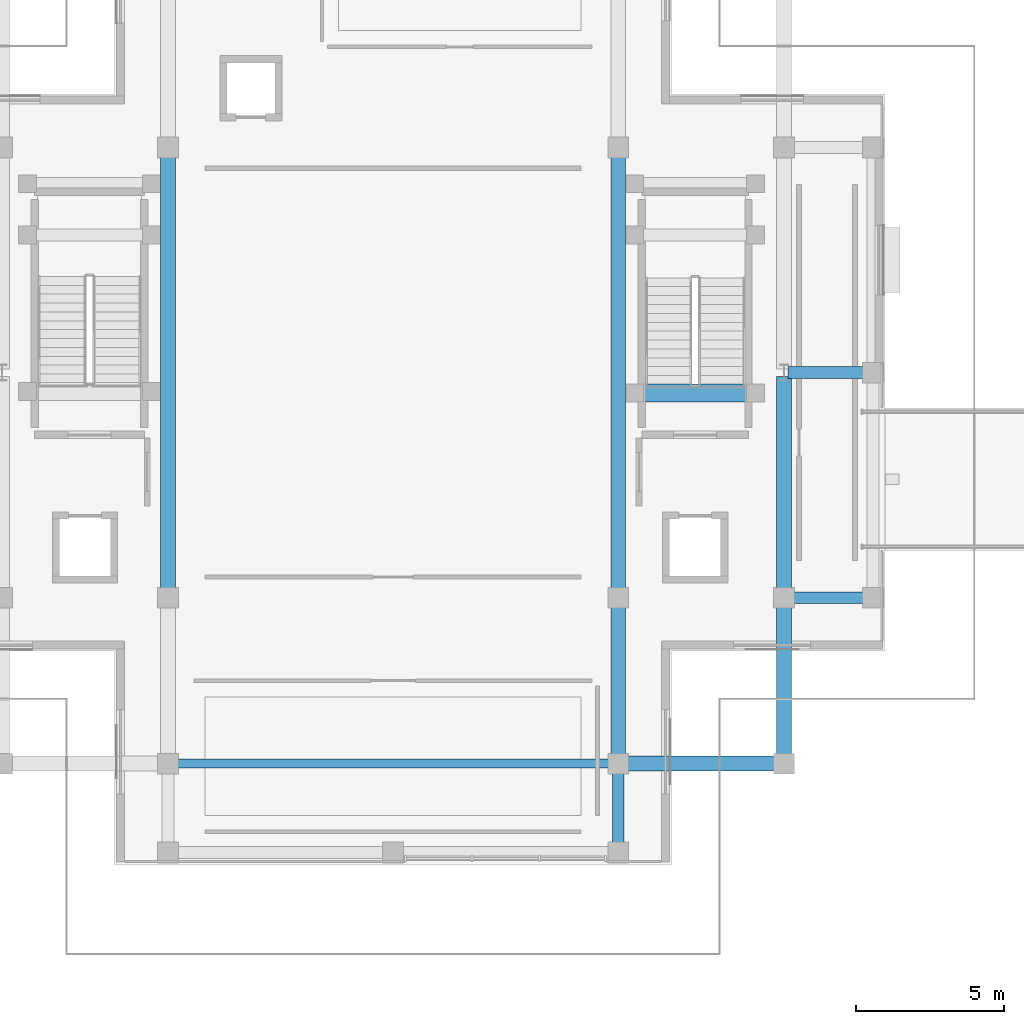
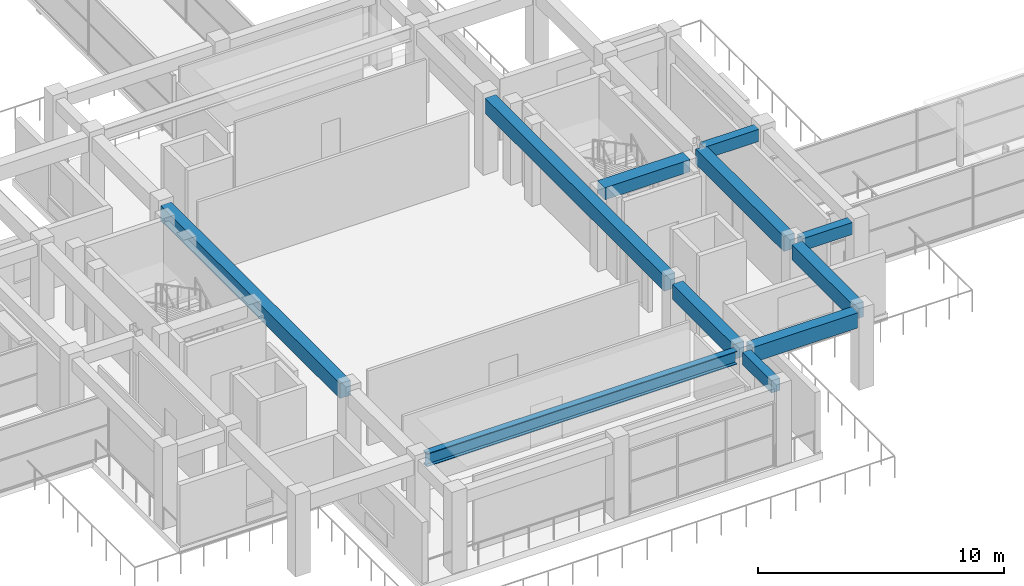
# One storey, part 13 of 53: 11 beams.
"""IFC4 building model written with IfcOpenShell, lengths in metres."""

from ifc_helpers import new_model, si_unit, direction, frame, origin, origin_2d, place, context, subcontext, project, spatial, rectangle, i_section, extrude, material, material_profile, profile_set, type_object, element, save


model = new_model("IFC4")

# Units and contexts
model_context = context("Model", 3, precision=1e-05, world=origin(), true_north=direction((0.0, 1.0)))
body_context = subcontext(model_context, "Body", "Model", "MODEL_VIEW")
ifc_project = project(units=[si_unit("LENGTHUNIT", "METRE"), si_unit("AREAUNIT", "SQUARE_METRE"), si_unit("VOLUMEUNIT", "CUBIC_METRE"), si_unit("PLANEANGLEUNIT", "RADIAN"), si_unit("MASSUNIT", "GRAM", prefix="KILO")], contexts=[model_context])

# Site, building, storey
site_placement = place(None, origin())
site = spatial("IfcSite", under=ifc_project, at=site_placement, CompositionType="ELEMENT")
building_placement = place(site_placement, origin())
building = spatial("IfcBuilding", under=site, at=building_placement, Name="Saryqyr Civic Hall", CompositionType="ELEMENT")
storey_placement = place(building_placement, frame((0.0, 0.0, 21.300048828125)))
storey = spatial("IfcBuildingStorey", under=building, at=storey_placement, Name="L05", CompositionType="ELEMENT", Elevation=21.300048828125)

# Beams
ifc_material_1 = material(Name="Steel S355", Category="steel")
ifc_material_profile_1 = material_profile(ifc_material_1, i_section(OverallWidth=0.300048828125, OverallDepth=0.64990234375, WebThickness=0.01611328125, FlangeThickness=0.031005859375, at=origin_2d()), Name="HEB 650")
ifc_profile_set_1 = profile_set([ifc_material_profile_1], Name="Steel S355")
beam_type_1 = type_object("IfcBeamType", Name="STR-BM-HEB650", PredefinedType="BEAM", material=ifc_profile_set_1)
beam_1_placement = place(storey_placement, frame((49.72509765625, 70.800048828125, 3.46484375), z_axis=(1.0, 0.0, 0.0), x_axis=(0.0, 1.0, 0.0)))
element("IfcBeam", 1, at=beam_1_placement, inside=storey, type_object=beam_type_1, Name="Beam V1-GBM-EW1-L05", PredefinedType="BEAM", context=body_context, shape_type="SweptSolid", body=[
    extrude(i_section(OverallWidth=0.300048828125, OverallDepth=0.64990234375, WebThickness=0.01611328125, FlangeThickness=0.031005859375, at=origin_2d()), origin(), (0.0, 0.0, 1.0), 14.5498046875),
])
ifc_material_2 = material(Name="Concrete C35/45", Category="concrete")
ifc_material_profile_2 = material_profile(ifc_material_2, rectangle(XDim=0.39990234375, YDim=0.60009765625, at=origin_2d()), Name="RC 400x600")
ifc_profile_set_2 = profile_set([ifc_material_profile_2], Name="Concrete C35/45")
beam_type_2 = type_object("IfcBeamType", Name="STR-BM-RC400x600", PredefinedType="BEAM", material=ifc_profile_set_2)
beam_2_placement = place(storey_placement, frame((70.52490234375, 76.39990234375, 3.489990234375), z_axis=(1.0, 0.0, 0.0), x_axis=(0.0, 1.0, 0.0)))
element("IfcBeam", 2, at=beam_2_placement, inside=storey, type_object=beam_type_2, Name="Beam V1-TBM-04-L05", PredefinedType="BEAM", context=body_context, shape_type="SweptSolid", body=[
    extrude(rectangle(XDim=0.39990234375, YDim=0.60009765625, at=origin_2d()), origin(), (0.0, 0.0, 1.0), 2.35009765625),
])
beam_3_placement = place(storey_placement, frame((70.324951171875, 84.0, 3.489990234375), z_axis=(1.0, 0.0, 0.0), x_axis=(0.0, 1.0, 0.0)))
element("IfcBeam", 3, at=beam_3_placement, inside=storey, type_object=beam_type_2, Name="Beam V1-TBM-05-L05", PredefinedType="BEAM", context=body_context, shape_type="SweptSolid", body=[
    extrude(rectangle(XDim=0.39990234375, YDim=0.60009765625, at=origin_2d()), origin(), (0.0, 0.0, 1.0), 2.550048828125),
])
beam_4_placement = place(storey_placement, frame((64.60009765625, 68.125, 3.489990234375), z_axis=(0.0, 1.0, 0.0), x_axis=(-1.0, 0.0, 0.0)))
element("IfcBeam", 4, at=beam_4_placement, inside=storey, type_object=beam_type_2, Name="Beam V1-TBM-08-L05", PredefinedType="BEAM", context=body_context, shape_type="SweptSolid", body=[
    extrude(rectangle(XDim=0.39990234375, YDim=0.60009765625, at=origin_2d()), origin(), (0.0, 0.0, 1.0), 2.35009765625),
])
ifc_material_3 = material(Name="Concrete C40/50", Category="concrete")
ifc_material_profile_3 = material_profile(ifc_material_3, rectangle(XDim=0.5, YDim=0.75, at=origin_2d()), Name="RC 500x750")
ifc_profile_set_3 = profile_set([ifc_material_profile_3], Name="Concrete C40/50")
beam_type_3 = type_object("IfcBeamType", Name="STR-BM-RC500x750", PredefinedType="BEAM", material=ifc_profile_set_3)
beam_5_placement = place(storey_placement, frame((64.925048828125, 70.800048828125, 3.4150390625), z_axis=(1.0, 0.0, 0.0), x_axis=(0.0, 1.0, 0.0)))
element("IfcBeam", 5, at=beam_5_placement, inside=storey, type_object=beam_type_3, Name="Beam V1-WBM-E1-L05", PredefinedType="BEAM", context=body_context, shape_type="SweptSolid", body=[
    extrude(rectangle(XDim=0.5, YDim=0.75, at=origin_2d()), origin(), (0.0, 0.0, 1.0), 4.949951171875),
])
beam_6_placement = place(storey_placement, frame((49.39990234375, 76.72509765625, 3.4150390625), z_axis=(0.0, 1.0, 0.0), x_axis=(-1.0, 0.0, 0.0)))
element("IfcBeam", 6, at=beam_6_placement, inside=storey, type_object=beam_type_3, Name="Beam V1-BM-NS22-L05", PredefinedType="BEAM", context=body_context, shape_type="SweptSolid", body=[
    extrude(rectangle(XDim=0.5, YDim=0.75, at=origin_2d()), origin(), (0.0, 0.0, 1.0), 14.5498046875),
])
beam_7_placement = place(storey_placement, frame((64.60009765625, 71.125, 3.4150390625), z_axis=(0.0, 1.0, 0.0), x_axis=(-1.0, 0.0, 0.0)))
element("IfcBeam", 7, at=beam_7_placement, inside=storey, type_object=beam_type_3, Name="Beam V1-BM-NS31-L05", PredefinedType="BEAM", context=body_context, shape_type="SweptSolid", body=[
    extrude(rectangle(XDim=0.5, YDim=0.75, at=origin_2d()), origin(), (0.0, 0.0, 1.0), 4.949951171875),
])
beam_8_placement = place(storey_placement, frame((64.60009765625, 76.72509765625, 3.4150390625), z_axis=(0.0, 1.0, 0.0), x_axis=(-1.0, 0.0, 0.0)))
element("IfcBeam", 8, at=beam_8_placement, inside=storey, type_object=beam_type_3, Name="Beam V1-BM-NS32-L05", PredefinedType="BEAM", context=body_context, shape_type="SweptSolid", body=[
    extrude(rectangle(XDim=0.5, YDim=0.75, at=origin_2d()), origin(), (0.0, 0.0, 1.0), 14.5498046875),
])
beam_9_placement = place(storey_placement, frame((70.199951171875, 71.125, 3.4150390625), z_axis=(0.0, 1.0, 0.0), x_axis=(-1.0, 0.0, 0.0)))
element("IfcBeam", 9, at=beam_9_placement, inside=storey, type_object=beam_type_3, Name="Beam V1-BM-NS41-L05", PredefinedType="BEAM", context=body_context, shape_type="SweptSolid", body=[
    extrude(rectangle(XDim=0.5, YDim=0.75, at=origin_2d()), origin(), (0.0, 0.0, 1.0), 4.949951171875),
])
beam_10_placement = place(storey_placement, frame((70.199951171875, 76.72509765625, 3.4150390625), z_axis=(0.0, 1.0, 0.0), x_axis=(-1.0, 0.0, 0.0)))
element("IfcBeam", 10, at=beam_10_placement, inside=storey, type_object=beam_type_3, Name="Beam V1-BM-NS4A-L05", PredefinedType="BEAM", context=body_context, shape_type="SweptSolid", body=[
    extrude(rectangle(XDim=0.5, YDim=0.75, at=origin_2d()), origin(), (0.0, 0.0, 1.0), 7.14990234375),
])
ifc_material_profile_4 = material_profile(ifc_material_3, rectangle(XDim=0.60009765625, YDim=0.60009765625, at=origin_2d()), Name="RC 600x600")
ifc_profile_set_4 = profile_set([ifc_material_profile_4], Name="Concrete C40/50")
beam_type_4 = type_object("IfcBeamType", Name="STR-BM-RC600x600", PredefinedType="BEAM", material=ifc_profile_set_4)
beam_11_placement = place(storey_placement, frame((69.199951171875, 83.31494140625, 3.75), z_axis=(-1.0, 0.0, 0.0), x_axis=(0.0, -1.0, 0.0)))
element("IfcBeam", 11, at=beam_11_placement, inside=storey, type_object=beam_type_4, Name="Stair well trimmer beam ST-2-L06", PredefinedType="BEAM", context=body_context, shape_type="SweptSolid", body=[
    extrude(rectangle(XDim=0.60009765625, YDim=0.60009765625, at=origin_2d()), origin(), (0.0, 0.0, 1.0), 4.0),
])

save(model, "model.ifc")
